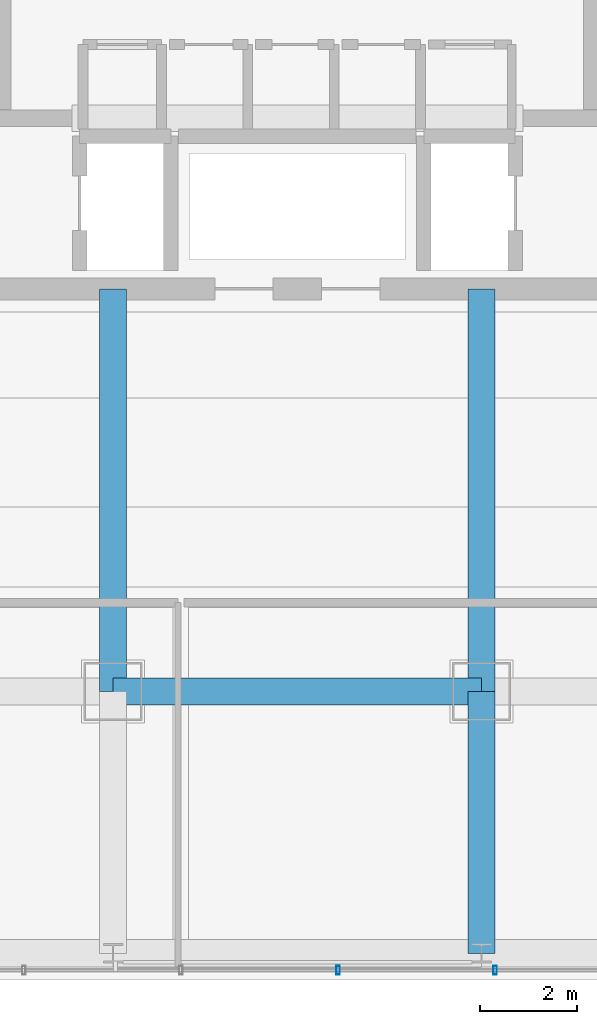
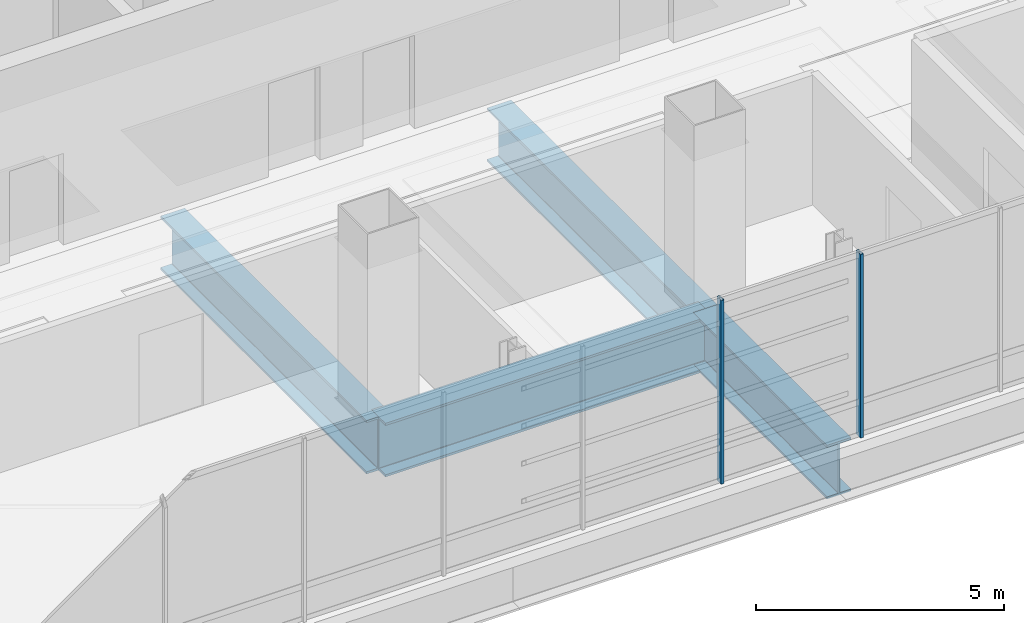
# One storey, part 9 of 45: 4 beams, 2 members, 1 element without a shape of its own.
"""IFC4 building model written with IfcOpenShell, lengths in metres."""

from ifc_helpers import new_model, si_unit, direction, frame, origin, origin_2d, place, context, subcontext, project, spatial, hollow_rectangle, i_section, extrude, material, material_profile, profile_set, type_object, element, aggregate, save


model = new_model("IFC4")

# Units and contexts
model_context = context("Model", 3, precision=1e-05, world=origin(), true_north=direction((0.0, 1.0)))
body_context = subcontext(model_context, "Body", "Model", "MODEL_VIEW")
ifc_project = project(units=[si_unit("LENGTHUNIT", "METRE"), si_unit("AREAUNIT", "SQUARE_METRE"), si_unit("VOLUMEUNIT", "CUBIC_METRE"), si_unit("PLANEANGLEUNIT", "RADIAN"), si_unit("MASSUNIT", "GRAM", prefix="KILO")], contexts=[model_context])

# Site, building, storey
site_placement = place(None, origin())
site = spatial("IfcSite", under=ifc_project, at=site_placement, CompositionType="ELEMENT")
building_placement = place(site_placement, origin())
building = spatial("IfcBuilding", under=site, at=building_placement, Name="Punatoya Terracotta Tower", CompositionType="ELEMENT")
storey_placement = place(building_placement, frame((0.0, 0.0, 339.0)))
storey = spatial("IfcBuildingStorey", under=building, at=storey_placement, Name="L80", CompositionType="ELEMENT", Elevation=339.0)

# Beams
ifc_material_1 = material(Name="Steel S460", Category="steel")
ifc_material_profile_1 = material_profile(ifc_material_1, i_section(OverallWidth=0.56005859375, OverallDepth=1.320068359375, WebThickness=0.035888671875, FlangeThickness=0.054931640625, FilletRadius=0.01806640625, at=origin_2d()))
ifc_profile_set_1 = profile_set([ifc_material_profile_1], Name="Steel S460")
beam_type = type_object("IfcBeamType", Name="BM-TG-BLK", PredefinedType="BEAM", material=ifc_profile_set_1)
beam_1_placement = place(storey_placement, frame((-3.800048828125, -17.5, -0.919921875), z_axis=(1.0, 0.0, 0.0), x_axis=(0.0, 1.0, 0.0)))
element("IfcBeam", 1, at=beam_1_placement, inside=storey, type_object=beam_type, Name="BM-L80-RG-S2", PredefinedType="BEAM", context=body_context, shape_type="SweptSolid", body=[
    extrude(i_section(OverallWidth=0.56005859375, OverallDepth=1.320068359375, WebThickness=0.035888671875, FlangeThickness=0.054931640625, FilletRadius=0.01806640625, at=origin_2d()), origin(), (0.0, 0.0, 1.0), 7.60009765625),
])
for number, where, z_axis, x_axis, name in (
    (2, (-3.800048828125, -17.5, -0.919921875), (0.0, 1.0, 0.0), (-1.0, 0.0, 0.0), "BM-L80-PR-S2"),
    (3, (3.800048828125, -17.5, -0.919921875), (0.0, 1.0, 0.0), (-1.0, 0.0, 0.0), "BM-L80-PR-S3"),
):
    element("IfcBeam", number, at=place(storey_placement, frame(where, z_axis=z_axis, x_axis=x_axis)), inside=storey, type_object=beam_type, Name=name, PredefinedType="BEAM", context=body_context, shape_type="SweptSolid", body=[
        extrude(i_section(OverallWidth=0.56005859375, OverallDepth=1.320068359375, WebThickness=0.035888671875, FlangeThickness=0.054931640625, FilletRadius=0.01806640625, at=origin_2d()), origin(), (0.0, 0.0, 1.0), 8.300048828125),
    ])
beam_2_placement = place(storey_placement, frame((3.800048828125, -22.89990234375, -0.919921875), z_axis=(0.0, 1.0, 0.0), x_axis=(-1.0, 0.0, 0.0)))
element("IfcBeam", 4, at=beam_2_placement, inside=storey, type_object=beam_type, Name="BM-L80-CANT-S3", PredefinedType="BEAM", context=body_context, shape_type="SweptSolid", body=[
    extrude(i_section(OverallWidth=0.56005859375, OverallDepth=1.320068359375, WebThickness=0.035888671875, FlangeThickness=0.054931640625, FilletRadius=0.01806640625, at=origin_2d()), origin(), (0.0, 0.0, 1.0), 5.39990234375),
])

# Curtain wall, members
ifc_material_2 = material(Name="Aluminium 6063-T6 + Double Low-E Glass", Category="aluminium")
curtain_wall_type = type_object("IfcCurtainWallType", Name="CW-OBS", PredefinedType="NOTDEFINED", material=ifc_material_2)
curtain_wall_placement = place(storey_placement, origin())
curtain_wall = element("IfcCurtainWall", 5, at=curtain_wall_placement, inside=storey, type_object=curtain_wall_type, Name="L80 Curtain Wall CW-L80-S01-1", PredefinedType="NOTDEFINED")
ifc_material_3 = material(Name="Aluminium 6063-T6", Category="aluminium")
ifc_material_profile_2 = material_profile(ifc_material_3, hollow_rectangle(XDim=0.070068359375, YDim=0.179931640625, WallThickness=0.00390625, at=origin_2d()))
ifc_profile_set_2 = profile_set([ifc_material_profile_2], Name="Aluminium 6063-T6")
member_type = type_object("IfcMemberType", Name="CW-MUL-M3", PredefinedType="MULLION", material=ifc_profile_set_2)
member_1_placement = place(storey_placement, frame((0.839599609375, -23.25, 0.0), z_axis=(0.0, 0.0, 1.0), x_axis=(1.0, 0.0, 0.0)))
member_1 = element("IfcMember", 6, at=member_1_placement, type_object=member_type, Name="CW-L80-S01-1 Mullion 07", PredefinedType="MULLION", context=body_context, shape_type="SweptSolid", body=[
    extrude(hollow_rectangle(XDim=0.070068359375, YDim=0.179931640625, WallThickness=0.00390625, at=origin_2d()), origin(), (0.0, 0.0, 1.0), 4.52001953125),
])
member_2_placement = place(storey_placement, frame((4.0791015625, -23.25, 0.0), z_axis=(0.0, 0.0, 1.0), x_axis=(1.0, 0.0, 0.0)))
member_2 = element("IfcMember", 7, at=member_2_placement, type_object=member_type, Name="CW-L80-S01-1 Mullion 08", PredefinedType="MULLION", context=body_context, shape_type="SweptSolid", body=[
    extrude(hollow_rectangle(XDim=0.070068359375, YDim=0.179931640625, WallThickness=0.00390625, at=origin_2d()), origin(), (0.0, 0.0, 1.0), 4.52001953125),
])
aggregate(curtain_wall, [member_1, member_2])

save(model, "model.ifc")
